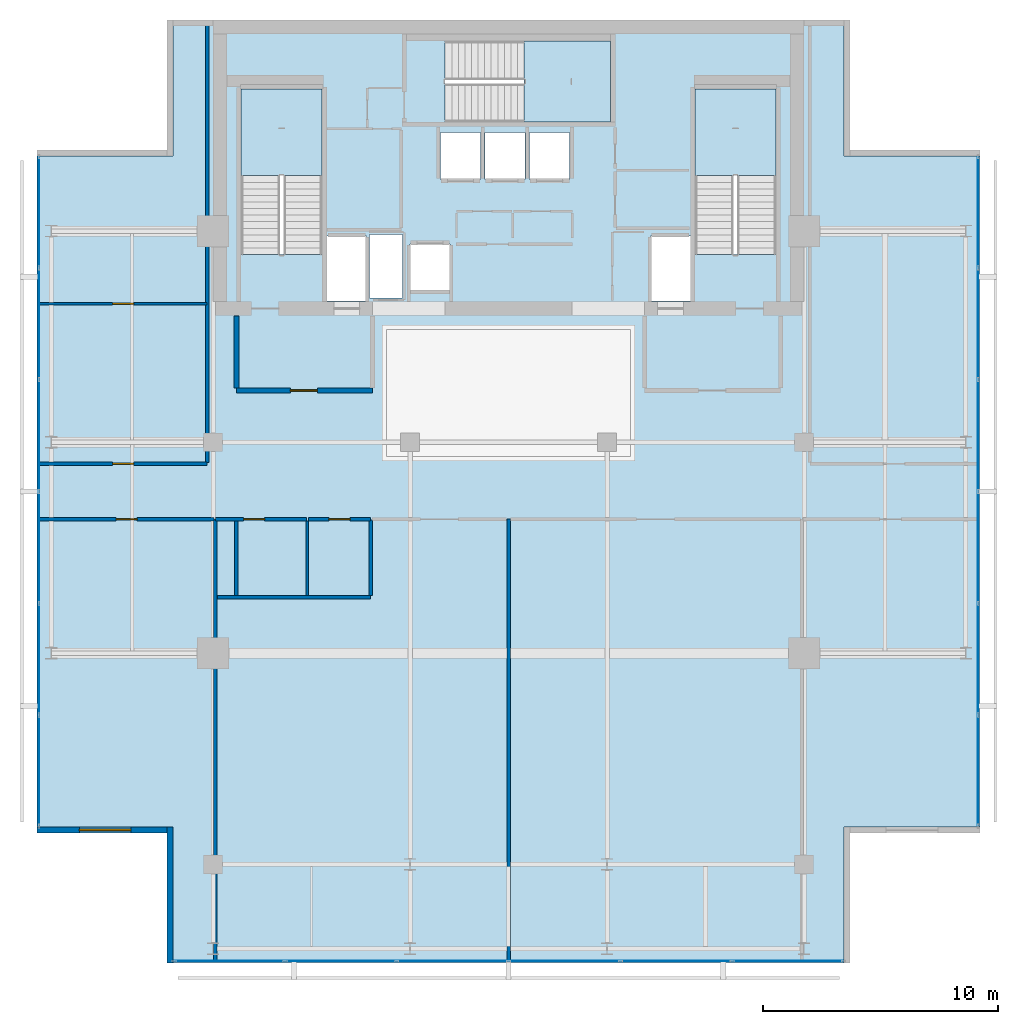
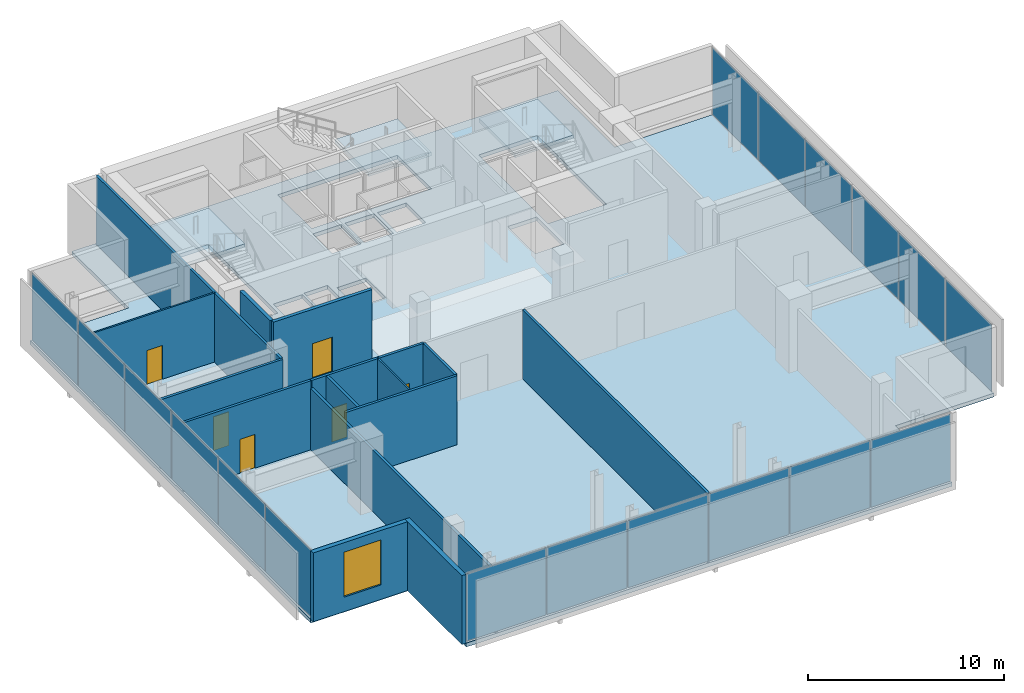
# One storey, part 16 of 23: 18 plates, 16 walls, 6 doors, 4 slabs, 1 window, 7 openings, 6 elements without a shape of their own.
"""IFC4 building model written with IfcOpenShell, lengths in metres."""

from ifc_helpers import new_model, si_unit, direction, frame, frame_2d, origin, origin_2d, place, context, subcontext, project, spatial, polyline, rectangle, outline, extrude, material, layer, layer_set, type_object, element, fill, aggregate, save


model = new_model("IFC4")

# Units and contexts
model_context = context("Model", 3, precision=1e-05, world=origin(), true_north=direction((0.0, 1.0)))
body_context = subcontext(model_context, "Body", "Model", "MODEL_VIEW")
ifc_project = project(units=[si_unit("LENGTHUNIT", "METRE"), si_unit("AREAUNIT", "SQUARE_METRE"), si_unit("VOLUMEUNIT", "CUBIC_METRE"), si_unit("PLANEANGLEUNIT", "RADIAN"), si_unit("MASSUNIT", "GRAM", prefix="KILO")], contexts=[model_context])

# Site, building, storey
site_placement = place(None, origin())
site = spatial("IfcSite", under=ifc_project, at=site_placement, CompositionType="ELEMENT")
building_placement = place(site_placement, origin())
building = spatial("IfcBuilding", under=site, at=building_placement, Name="Maruvema Waterfront Hotel and Observation Tower", CompositionType="ELEMENT")
storey_placement = place(building_placement, frame((0.0, 0.0, 349.64990234375)))
storey = spatial("IfcBuildingStorey", under=building, at=storey_placement, Name="L86", CompositionType="ELEMENT", Elevation=349.64990234375)

# Slab
ifc_material_1 = material(Name="Concrete C50/60", Category="concrete")
ifc_layer_1 = layer(ifc_material_1, 0.239990234375, Name="Reinforced Concrete Floor Slab 240 mm")
ifc_layer_set_1 = layer_set([ifc_layer_1], Name="Concrete C50/60")
slab_type_1 = type_object("IfcSlabType", Name="Reinforced Concrete Floor Slab 240 mm", PredefinedType="FLOOR", material=ifc_layer_set_1)
slab_1_placement = place(storey_placement, frame((0.0, 0.0, -0.239990234375)))
element("IfcSlab", 1, at=slab_1_placement, inside=storey, type_object=slab_type_1, Name="L86 Structural Floor Slab", PredefinedType="FLOOR", context=body_context, shape_type="SweptSolid", body=[
    extrude(outline(polyline([(23.5, 13.800048828125), (52.10009765625, 13.800048828125), (52.10009765625, 19.60009765625), (57.89990234375, 19.60009765625), (57.89990234375, 48.199951171875), (52.10009765625, 48.199951171875), (52.10009765625, 54.0), (23.5, 54.0), (23.5, 48.199951171875), (17.699951171875, 48.199951171875), (17.699951171875, 19.60009765625), (23.5, 19.60009765625), (23.5, 13.800048828125)]), holes=[polyline([(26.39990234375, 44.00048828125), (26.39990234375, 51.050048828125), (29.85009765625, 51.050048828125), (29.85009765625, 44.00048828125), (26.39990234375, 44.00048828125)]), polyline([(30.050048828125, 42.02001953125), (30.050048828125, 44.800048828125), (31.75, 44.800048828125), (31.75, 42.02001953125), (30.050048828125, 42.02001953125)]), polyline([(31.8798828125, 44.860107421875), (33.280029296875, 44.860107421875), (33.280029296875, 42.139892578125), (31.8798828125, 42.139892578125), (31.8798828125, 44.860107421875)]), polyline([(33.60009765625, 42.449951171875), (33.60009765625, 44.449951171875), (35.300048828125, 44.449951171875), (35.300048828125, 42.449951171875), (33.60009765625, 42.449951171875)]), polyline([(34.89990234375, 47.199951171875), (34.89990234375, 49.199951171875), (36.60009765625, 49.199951171875), (36.60009765625, 47.199951171875), (34.89990234375, 47.199951171875)]), polyline([(36.800048828125, 47.199951171875), (36.800048828125, 49.199951171875), (38.5, 49.199951171875), (38.5, 47.199951171875), (36.800048828125, 47.199951171875)]), polyline([(35.1005859375, 53.10009765625), (42.14990234375, 53.10009765625), (42.14990234375, 49.64990234375), (35.1005859375, 49.64990234375), (35.1005859375, 53.10009765625)]), polyline([(38.699951171875, 49.199951171875), (40.39990234375, 49.199951171875), (40.39990234375, 47.199951171875), (38.699951171875, 47.199951171875), (38.699951171875, 49.199951171875)]), polyline([(43.85009765625, 42.02001953125), (43.85009765625, 44.800048828125), (45.550048828125, 44.800048828125), (45.550048828125, 42.02001953125), (43.85009765625, 42.02001953125)]), polyline([(49.199951171875, 44.00048828125), (45.75, 44.00048828125), (45.75, 51.050048828125), (49.199951171875, 51.050048828125), (49.199951171875, 44.00048828125)])]), origin(), (0.0, 0.0, 1.0), 0.239990234375),
])

# Curtain wall, plates
ifc_material_2 = material(Name="Anodised bronze aluminium and solar-control low-E IGU", Category="aluminium")
ifc_layer_2 = layer(ifc_material_2, 0.159912109375, Name="Observation Crown Structural Glazed Curtain Wall System CW-06")
ifc_layer_set_2 = layer_set([ifc_layer_2], Name="Anodised bronze aluminium and solar-control low-E IGU")
curtain_wall_type = type_object("IfcCurtainWallType", Name="Observation Crown Structural Glazed Curtain Wall System CW-06", PredefinedType="USERDEFINED", material=ifc_layer_set_2)
curtain_wall_1_placement = place(storey_placement, origin())
curtain_wall_1 = element("IfcCurtainWall", 2, at=curtain_wall_1_placement, inside=storey, type_object=curtain_wall_type, Name="L86 Curtain Wall CW-L86-S", ObjectType="UNITISED CURTAIN WALL", PredefinedType="USERDEFINED")
ifc_material_3 = material(Name="Laminated low-E solar-control double glazing", Category="glass")
ifc_layer_3 = layer(ifc_material_3, 0.035888671875, Name="Solar Control Double-Glazed Curtain Panel 36 mm")
ifc_layer_set_3 = layer_set([ifc_layer_3], Name="Laminated low-E solar-control double glazing")
plate_type = type_object("IfcPlateType", Name="Solar Control Double-Glazed Curtain Panel 36 mm", PredefinedType="CURTAIN_PANEL", material=ifc_layer_set_3)
plate_1_placement = place(storey_placement, frame((25.8984375, 13.8798828125, 0.06005859375), z_axis=(0.0, 0.0, 1.0), x_axis=(1.0, 0.0, 0.0)))
plate_1 = element("IfcPlate", 3, at=plate_1_placement, type_object=plate_type, Name="CW-06 panel 1.1", PredefinedType="CURTAIN_PANEL", context=body_context, shape_type="SweptSolid", body=[
    extrude(rectangle(XDim=4.6767578125, YDim=0.028076171875, at=origin_2d()), origin(), (0.0, 0.0, 1.0), 4.169921875),
])
plate_2_placement = place(storey_placement, frame((30.64990234375, 13.8798828125, 0.06005859375), z_axis=(0.0, 0.0, 1.0), x_axis=(1.0, 0.0, 0.0)))
plate_2 = element("IfcPlate", 4, at=plate_2_placement, type_object=plate_type, Name="CW-06 panel 2.1", PredefinedType="CURTAIN_PANEL", context=body_context, shape_type="SweptSolid", body=[
    extrude(rectangle(XDim=4.706787109375, YDim=0.028076171875, at=origin_2d()), origin(), (0.0, 0.0, 1.0), 4.169921875),
])
plate_3_placement = place(storey_placement, frame((35.416748046875, 13.8798828125, 0.06005859375), z_axis=(0.0, 0.0, 1.0), x_axis=(1.0, 0.0, 0.0)))
plate_3 = element("IfcPlate", 5, at=plate_3_placement, type_object=plate_type, Name="CW-06 panel 3.1", PredefinedType="CURTAIN_PANEL", context=body_context, shape_type="SweptSolid", body=[
    extrude(rectangle(XDim=4.706787109375, YDim=0.028076171875, at=origin_2d()), origin(), (0.0, 0.0, 1.0), 4.169921875),
])
plate_4_placement = place(storey_placement, frame((40.183349609375, 13.8798828125, 0.06005859375), z_axis=(0.0, 0.0, 1.0), x_axis=(1.0, 0.0, 0.0)))
plate_4 = element("IfcPlate", 6, at=plate_4_placement, type_object=plate_type, Name="CW-06 panel 4.1", PredefinedType="CURTAIN_PANEL", context=body_context, shape_type="SweptSolid", body=[
    extrude(rectangle(XDim=4.706787109375, YDim=0.028076171875, at=origin_2d()), origin(), (0.0, 0.0, 1.0), 4.169921875),
])
plate_5_placement = place(storey_placement, frame((44.949951171875, 13.8798828125, 0.06005859375), z_axis=(0.0, 0.0, 1.0), x_axis=(1.0, 0.0, 0.0)))
plate_5 = element("IfcPlate", 7, at=plate_5_placement, type_object=plate_type, Name="CW-06 panel 5.1", PredefinedType="CURTAIN_PANEL", context=body_context, shape_type="SweptSolid", body=[
    extrude(rectangle(XDim=4.706787109375, YDim=0.028076171875, at=origin_2d()), origin(), (0.0, 0.0, 1.0), 4.169921875),
])
plate_6_placement = place(storey_placement, frame((49.70166015625, 13.8798828125, 0.06005859375), z_axis=(0.0, 0.0, 1.0), x_axis=(1.0, 0.0, 0.0)))
plate_6 = element("IfcPlate", 8, at=plate_6_placement, type_object=plate_type, Name="CW-06 panel 6.1", PredefinedType="CURTAIN_PANEL", context=body_context, shape_type="SweptSolid", body=[
    extrude(rectangle(XDim=4.6767578125, YDim=0.028076171875, at=origin_2d()), origin(), (0.0, 0.0, 1.0), 4.169921875),
])
aggregate(curtain_wall_1, [plate_1, plate_2, plate_3, plate_4, plate_5, plate_6])

curtain_wall_2_placement = place(storey_placement, origin())
curtain_wall_2 = element("IfcCurtainWall", 9, at=curtain_wall_2_placement, inside=storey, type_object=curtain_wall_type, Name="L86 Curtain Wall CW-L86-E", ObjectType="UNITISED CURTAIN WALL", PredefinedType="USERDEFINED")
plate_7_placement = place(storey_placement, frame((57.820068359375, 21.998291015625, 0.06005859375), z_axis=(0.0, 0.0, 1.0), x_axis=(0.0, 1.0, 0.0)))
plate_7 = element("IfcPlate", 10, at=plate_7_placement, type_object=plate_type, Name="CW-06 panel 1.1", PredefinedType="CURTAIN_PANEL", context=body_context, shape_type="SweptSolid", body=[
    extrude(rectangle(XDim=4.6767578125, YDim=0.028076171875, at=origin_2d()), origin(), (0.0, 0.0, 1.0), 4.169921875),
])
plate_8_placement = place(storey_placement, frame((57.820068359375, 26.75, 0.06005859375), z_axis=(0.0, 0.0, 1.0), x_axis=(0.0, 1.0, 0.0)))
plate_8 = element("IfcPlate", 11, at=plate_8_placement, type_object=plate_type, Name="CW-06 panel 2.1", PredefinedType="CURTAIN_PANEL", context=body_context, shape_type="SweptSolid", body=[
    extrude(rectangle(XDim=4.706787109375, YDim=0.028076171875, at=origin_2d()), origin(), (0.0, 0.0, 1.0), 4.169921875),
])
plate_9_placement = place(storey_placement, frame((57.820068359375, 31.5166015625, 0.06005859375), z_axis=(0.0, 0.0, 1.0), x_axis=(0.0, 1.0, 0.0)))
plate_9 = element("IfcPlate", 12, at=plate_9_placement, type_object=plate_type, Name="CW-06 panel 3.1", PredefinedType="CURTAIN_PANEL", context=body_context, shape_type="SweptSolid", body=[
    extrude(rectangle(XDim=4.706787109375, YDim=0.028076171875, at=origin_2d()), origin(), (0.0, 0.0, 1.0), 4.169921875),
])
plate_10_placement = place(storey_placement, frame((57.820068359375, 36.283447265625, 0.06005859375), z_axis=(0.0, 0.0, 1.0), x_axis=(0.0, 1.0, 0.0)))
plate_10 = element("IfcPlate", 13, at=plate_10_placement, type_object=plate_type, Name="CW-06 panel 4.1", PredefinedType="CURTAIN_PANEL", context=body_context, shape_type="SweptSolid", body=[
    extrude(rectangle(XDim=4.706787109375, YDim=0.028076171875, at=origin_2d()), origin(), (0.0, 0.0, 1.0), 4.169921875),
])
plate_11_placement = place(storey_placement, frame((57.820068359375, 41.050048828125, 0.06005859375), z_axis=(0.0, 0.0, 1.0), x_axis=(0.0, 1.0, 0.0)))
plate_11 = element("IfcPlate", 14, at=plate_11_placement, type_object=plate_type, Name="CW-06 panel 5.1", PredefinedType="CURTAIN_PANEL", context=body_context, shape_type="SweptSolid", body=[
    extrude(rectangle(XDim=4.706787109375, YDim=0.028076171875, at=origin_2d()), origin(), (0.0, 0.0, 1.0), 4.169921875),
])
plate_12_placement = place(storey_placement, frame((57.820068359375, 45.8017578125, 0.06005859375), z_axis=(0.0, 0.0, 1.0), x_axis=(0.0, 1.0, 0.0)))
plate_12 = element("IfcPlate", 15, at=plate_12_placement, type_object=plate_type, Name="CW-06 panel 6.1", PredefinedType="CURTAIN_PANEL", context=body_context, shape_type="SweptSolid", body=[
    extrude(rectangle(XDim=4.6767578125, YDim=0.028076171875, at=origin_2d()), origin(), (0.0, 0.0, 1.0), 4.169921875),
])
aggregate(curtain_wall_2, [plate_7, plate_8, plate_9, plate_10, plate_11, plate_12])

curtain_wall_3_placement = place(storey_placement, origin())
curtain_wall_3 = element("IfcCurtainWall", 16, at=curtain_wall_3_placement, inside=storey, type_object=curtain_wall_type, Name="L86 Curtain Wall CW-L86-W", ObjectType="UNITISED CURTAIN WALL", PredefinedType="USERDEFINED")
plate_13_placement = place(storey_placement, frame((17.780029296875, 45.8017578125, 0.06005859375), z_axis=(0.0, 0.0, 1.0), x_axis=(0.0, -1.0, 0.0)))
plate_13 = element("IfcPlate", 17, at=plate_13_placement, type_object=plate_type, Name="CW-06 panel 1.1", PredefinedType="CURTAIN_PANEL", context=body_context, shape_type="SweptSolid", body=[
    extrude(rectangle(XDim=4.6767578125, YDim=0.028076171875, at=origin_2d()), origin(), (0.0, 0.0, 1.0), 4.169921875),
])
plate_14_placement = place(storey_placement, frame((17.780029296875, 41.050048828125, 0.06005859375), z_axis=(0.0, 0.0, 1.0), x_axis=(0.0, -1.0, 0.0)))
plate_14 = element("IfcPlate", 18, at=plate_14_placement, type_object=plate_type, Name="CW-06 panel 2.1", PredefinedType="CURTAIN_PANEL", context=body_context, shape_type="SweptSolid", body=[
    extrude(rectangle(XDim=4.706787109375, YDim=0.028076171875, at=origin_2d()), origin(), (0.0, 0.0, 1.0), 4.169921875),
])
plate_15_placement = place(storey_placement, frame((17.780029296875, 36.283447265625, 0.06005859375), z_axis=(0.0, 0.0, 1.0), x_axis=(0.0, -1.0, 0.0)))
plate_15 = element("IfcPlate", 19, at=plate_15_placement, type_object=plate_type, Name="CW-06 panel 3.1", PredefinedType="CURTAIN_PANEL", context=body_context, shape_type="SweptSolid", body=[
    extrude(rectangle(XDim=4.706787109375, YDim=0.028076171875, at=origin_2d()), origin(), (0.0, 0.0, 1.0), 4.169921875),
])
plate_16_placement = place(storey_placement, frame((17.780029296875, 31.5166015625, 0.06005859375), z_axis=(0.0, 0.0, 1.0), x_axis=(0.0, -1.0, 0.0)))
plate_16 = element("IfcPlate", 20, at=plate_16_placement, type_object=plate_type, Name="CW-06 panel 4.1", PredefinedType="CURTAIN_PANEL", context=body_context, shape_type="SweptSolid", body=[
    extrude(rectangle(XDim=4.706787109375, YDim=0.028076171875, at=origin_2d()), origin(), (0.0, 0.0, 1.0), 4.169921875),
])
plate_17_placement = place(storey_placement, frame((17.780029296875, 26.75, 0.06005859375), z_axis=(0.0, 0.0, 1.0), x_axis=(0.0, -1.0, 0.0)))
plate_17 = element("IfcPlate", 21, at=plate_17_placement, type_object=plate_type, Name="CW-06 panel 5.1", PredefinedType="CURTAIN_PANEL", context=body_context, shape_type="SweptSolid", body=[
    extrude(rectangle(XDim=4.706787109375, YDim=0.028076171875, at=origin_2d()), origin(), (0.0, 0.0, 1.0), 4.169921875),
])
plate_18_placement = place(storey_placement, frame((17.780029296875, 21.998291015625, 0.06005859375), z_axis=(0.0, 0.0, 1.0), x_axis=(0.0, -1.0, 0.0)))
plate_18 = element("IfcPlate", 22, at=plate_18_placement, type_object=plate_type, Name="CW-06 panel 6.1", PredefinedType="CURTAIN_PANEL", context=body_context, shape_type="SweptSolid", body=[
    extrude(rectangle(XDim=4.6767578125, YDim=0.028076171875, at=origin_2d()), origin(), (0.0, 0.0, 1.0), 4.169921875),
])
aggregate(curtain_wall_3, [plate_13, plate_14, plate_15, plate_16, plate_17, plate_18])

# Stair, slab
ifc_material_4 = material(Name="Concrete C50/60", Category="concrete")
stair_type = type_object("IfcStairType", Name="Dogleg Exit Stair 1650 mm (26R x 175.0 mm)", PredefinedType="HALF_TURN_STAIR", material=ifc_material_4)
stair_1_placement = place(storey_placement, origin())
stair_1 = element("IfcStair", 23, at=stair_1_placement, inside=storey, type_object=stair_type, Name="L86 ST-01", PredefinedType="HALF_TURN_STAIR")
ifc_material_5 = material(Name="Concrete C50/60", Category="concrete")
ifc_layer_4 = layer(ifc_material_5, 0.219970703125, Name="Stair Concrete Landing Slab 220 mm")
ifc_layer_set_4 = layer_set([ifc_layer_4], Name="Concrete C50/60")
slab_type_2 = type_object("IfcSlabType", Name="Stair Concrete Landing Slab 220 mm", PredefinedType="LANDING", material=ifc_layer_set_4)
slab_2_placement = place(storey_placement, frame((0.0, 0.0, 2.05517578125)))
slab_2 = element("IfcSlab", 24, at=slab_2_placement, type_object=slab_type_2, Name="ST-01 landing 1", PredefinedType="LANDING", context=body_context, shape_type="SweptSolid", body=[
    extrude(outline(polyline([(29.85009765625, 47.360107421875), (29.85009765625, 51.050048828125), (26.39990234375, 51.050048828125), (26.39990234375, 47.360107421875), (29.85009765625, 47.360107421875)])), origin(), (0.0, 0.0, 1.0), 0.219970703125),
])
aggregate(stair_1, [slab_2])

stair_2_placement = place(storey_placement, origin())
stair_2 = element("IfcStair", 25, at=stair_2_placement, inside=storey, type_object=stair_type, Name="L86 ST-02", PredefinedType="HALF_TURN_STAIR")
slab_3_placement = place(storey_placement, frame((0.0, 0.0, 2.05517578125)))
slab_3 = element("IfcSlab", 26, at=slab_3_placement, type_object=slab_type_2, Name="ST-02 landing 1", PredefinedType="LANDING", context=body_context, shape_type="SweptSolid", body=[
    extrude(outline(polyline([(38.4599609375, 49.64990234375), (42.14990234375, 49.64990234375), (42.14990234375, 53.10009765625), (38.4599609375, 53.10009765625), (38.4599609375, 49.64990234375)])), origin(), (0.0, 0.0, 1.0), 0.219970703125),
])
aggregate(stair_2, [slab_3])

stair_3_placement = place(storey_placement, origin())
stair_3 = element("IfcStair", 27, at=stair_3_placement, inside=storey, type_object=stair_type, Name="L86 ST-03", PredefinedType="HALF_TURN_STAIR")
slab_4_placement = place(storey_placement, frame((0.0, 0.0, 2.05517578125)))
slab_4 = element("IfcSlab", 28, at=slab_4_placement, type_object=slab_type_2, Name="ST-03 landing 1", PredefinedType="LANDING", context=body_context, shape_type="SweptSolid", body=[
    extrude(outline(polyline([(49.199951171875, 47.360107421875), (49.199951171875, 51.050048828125), (45.75, 51.050048828125), (45.75, 47.360107421875), (49.199951171875, 47.360107421875)])), origin(), (0.0, 0.0, 1.0), 0.219970703125),
])
aggregate(stair_3, [slab_4])

# Wall, opening, door
ifc_material_6 = material(Name="Twin-stud acoustic gypsum drywall", Category="gypsum")
ifc_layer_5 = layer(ifc_material_6, 0.14990234375, Name="Acoustic Corridor and Suite Demising Wall 150 mm")
ifc_layer_set_5 = layer_set([ifc_layer_5], Name="Twin-stud acoustic gypsum drywall")
wall_type_1 = type_object("IfcWallType", Name="Acoustic Corridor and Suite Demising Wall 150 mm", PredefinedType="PARTITIONING", material=ifc_layer_set_5)
wall_1_placement = place(storey_placement, frame((25.300048828125, 32.719970703125, 0.0), z_axis=(0.0, 0.0, 1.0), x_axis=(1.0, 0.0, 0.0)))
wall_1 = element("IfcWall", 29, at=wall_1_placement, inside=storey, type_object=wall_type_1, Name="L86 L86 Public WC North 027", PredefinedType="PARTITIONING", context=body_context, shape_type="SweptSolid", body=[
    extrude(rectangle(XDim=3.8798828125, YDim=0.14990234375, at=frame_2d((1.93994140625, 0.0))), origin(), (0.0, 0.0, 1.0), 4.2900390625),
])
opening_1_placement = place(wall_1_placement, frame((1.199951171875, 0.0, 0.0)))
opening_1 = element("IfcOpeningElement", 30, at=opening_1_placement, cuts=wall_1, Name="Opening DR-090", PredefinedType="OPENING", context=body_context, shape_type="SweptSolid", body=[
    extrude(rectangle(XDim=0.89990234375, YDim=2.10009765625, at=frame_2d((0.449951171875, 1.050048828125))), frame((0.0, 0.0849609375, 0.0), z_axis=(0.0, -1.0, 0.0), x_axis=(1.0, 0.0, 0.0)), (0.0, 0.0, 1.0), 0.169921875),
])
ifc_material_7 = material(Name="Solid-core lacquered timber leaf", Category="wood")
door_type_1 = type_object("IfcDoorType", Name="Accessible Toilet and Room Door 900x2100 mm", OperationType="NOTDEFINED", PredefinedType="DOOR", material=ifc_material_7)
door_1_placement = place(opening_1_placement, origin())
door_1 = element("IfcDoor", 31, at=door_1_placement, inside=storey, type_object=door_type_1, Name="L86 Public Toilet Door", OperationType="SINGLE_SWING_LEFT", OverallHeight=2.10009765625, OverallWidth=0.89990234375, PredefinedType="DOOR", context=body_context, shape_type="SweptSolid", body=[
    extrude(rectangle(XDim=0.89990234375, YDim=2.10009765625, at=frame_2d((0.449951171875, 1.050048828125))), frame((0.0, 0.02490234375, 0.0), z_axis=(0.0, -1.0, 0.0), x_axis=(1.0, 0.0, 0.0)), (0.0, 0.0, 1.0), 0.050048828125),
])
fill(opening_1, door_1)

wall_2_placement = place(storey_placement, frame((29.260009765625, 32.719970703125, 0.0), z_axis=(0.0, 0.0, 1.0), x_axis=(1.0, 0.0, 0.0)))
wall_2 = element("IfcWall", 32, at=wall_2_placement, inside=storey, type_object=wall_type_1, Name="L86 L86 Acc WC North 028", PredefinedType="PARTITIONING", context=body_context, shape_type="SweptSolid", body=[
    extrude(rectangle(XDim=2.659912109375, YDim=0.14990234375, at=frame_2d((1.330078125, 0.0))), origin(), (0.0, 0.0, 1.0), 4.2900390625),
])
opening_2_placement = place(wall_2_placement, frame((0.8798828125, 0.0, 0.0)))
opening_2 = element("IfcOpeningElement", 33, at=opening_2_placement, cuts=wall_2, Name="Opening DR-090", PredefinedType="OPENING", context=body_context, shape_type="SweptSolid", body=[
    extrude(rectangle(XDim=0.89990234375, YDim=2.10009765625, at=frame_2d((0.449951171875, 1.050048828125))), frame((0.0, 0.0849609375, 0.0), z_axis=(0.0, -1.0, 0.0), x_axis=(1.0, 0.0, 0.0)), (0.0, 0.0, 1.0), 0.169921875),
])
door_2_placement = place(opening_2_placement, origin())
door_2 = element("IfcDoor", 34, at=door_2_placement, inside=storey, type_object=door_type_1, Name="L86 Accessible WC Door", OperationType="SINGLE_SWING_RIGHT", OverallHeight=2.10009765625, OverallWidth=0.89990234375, PredefinedType="DOOR", context=body_context, shape_type="SweptSolid", body=[
    extrude(rectangle(XDim=0.89990234375, YDim=2.10009765625, at=frame_2d((0.449951171875, 1.050048828125))), frame((0.0, 0.02490234375, 0.0), z_axis=(0.0, -1.0, 0.0), x_axis=(1.0, 0.0, 0.0)), (0.0, 0.0, 1.0), 0.050048828125),
])
fill(opening_2, door_2)

# Walls
wall_3_placement = place(storey_placement, frame((25.3798828125, 29.3798828125, 0.0), z_axis=(0.0, 0.0, 1.0), x_axis=(1.0, 0.0, 0.0)))
element("IfcWall", 35, at=wall_3_placement, inside=storey, type_object=wall_type_1, Name="L86 L86 WC South 029", PredefinedType="PARTITIONING", context=body_context, shape_type="SweptSolid", body=[
    extrude(rectangle(XDim=6.5400390625, YDim=0.14990234375, at=frame_2d((3.27001953125, 0.0))), origin(), (0.0, 0.0, 1.0), 4.2900390625),
])
wall_4_placement = place(storey_placement, frame((26.199951171875, 29.4599609375, 0.0), z_axis=(0.0, 0.0, 1.0), x_axis=(0.0, 1.0, 0.0)))
element("IfcWall", 36, at=wall_4_placement, inside=storey, type_object=wall_type_1, Name="L86 L86 WC West 030", PredefinedType="PARTITIONING", context=body_context, shape_type="SweptSolid", body=[
    extrude(rectangle(XDim=3.179931640625, YDim=0.14990234375, at=frame_2d((1.58984375, 0.0))), origin(), (0.0, 0.0, 1.0), 4.2900390625),
])
wall_5_placement = place(storey_placement, frame((31.919921875, 29.4599609375, 0.0), z_axis=(0.0, 0.0, 1.0), x_axis=(0.0, 1.0, 0.0)))
element("IfcWall", 37, at=wall_5_placement, inside=storey, type_object=wall_type_1, Name="L86 L86 WC East 032", PredefinedType="PARTITIONING", context=body_context, shape_type="SweptSolid", body=[
    extrude(rectangle(XDim=3.219970703125, YDim=0.14990234375, at=frame_2d((1.60986328125, 0.0))), origin(), (0.0, 0.0, 1.0), 4.2900390625),
])
wall_6_placement = place(storey_placement, frame((37.800048828125, 13.8798828125, 0.0), z_axis=(0.0, 0.0, 1.0), x_axis=(0.0, 1.0, 0.0)))
element("IfcWall", 38, at=wall_6_placement, inside=storey, type_object=wall_type_1, Name="L86 L86 Bar Split 033", PredefinedType="PARTITIONING", context=body_context, shape_type="SweptSolid", body=[
    extrude(rectangle(XDim=18.840087890625, YDim=0.14990234375, at=frame_2d((9.419921875, 0.0))), origin(), (0.0, 0.0, 1.0), 4.2900390625),
])
wall_7_placement = place(storey_placement, frame((25.300048828125, 13.8798828125, 0.0), z_axis=(0.0, 0.0, 1.0), x_axis=(0.0, 1.0, 0.0)))
element("IfcWall", 39, at=wall_7_placement, inside=storey, type_object=wall_type_1, Name="L86 L86 West Spine 034", PredefinedType="PARTITIONING", context=body_context, shape_type="SweptSolid", body=[
    extrude(rectangle(XDim=18.840087890625, YDim=0.14990234375, at=frame_2d((9.419921875, 0.0))), origin(), (0.0, 0.0, 1.0), 3.821044921875),
])

# Wall, opening, door
wall_8_placement = place(storey_placement, frame((17.780029296875, 32.719970703125, 0.0), z_axis=(0.0, 0.0, 1.0), x_axis=(1.0, 0.0, 0.0)))
wall_8 = element("IfcWall", 40, at=wall_8_placement, inside=storey, type_object=wall_type_1, Name="L86 L86 VIP Office North 036", PredefinedType="PARTITIONING", context=body_context, shape_type="SweptSolid", body=[
    extrude(rectangle(XDim=7.469970703125, YDim=0.14990234375, at=frame_2d((3.73486328125, 0.0))), origin(), (0.0, 0.0, 1.0), 4.2900390625),
])
opening_3_placement = place(wall_8_placement, frame((3.284912109375, 0.0, 0.0)))
opening_3 = element("IfcOpeningElement", 41, at=opening_3_placement, cuts=wall_8, Name="Opening DR-090", PredefinedType="OPENING", context=body_context, shape_type="SweptSolid", body=[
    extrude(rectangle(XDim=0.89990234375, YDim=2.10009765625, at=frame_2d((0.449951171875, 1.050048828125))), frame((0.0, 0.0849609375, 0.0), z_axis=(0.0, -1.0, 0.0), x_axis=(1.0, 0.0, 0.0)), (0.0, 0.0, 1.0), 0.169921875),
])
door_3_placement = place(opening_3_placement, origin())
door_3 = element("IfcDoor", 42, at=door_3_placement, inside=storey, type_object=door_type_1, Name="L86 VIP Office Door", OperationType="SINGLE_SWING_LEFT", OverallHeight=2.10009765625, OverallWidth=0.89990234375, PredefinedType="DOOR", context=body_context, shape_type="SweptSolid", body=[
    extrude(rectangle(XDim=0.89990234375, YDim=2.10009765625, at=frame_2d((0.449951171875, 1.050048828125))), frame((0.0, 0.02490234375, 0.0), z_axis=(0.0, -1.0, 0.0), x_axis=(1.0, 0.0, 0.0)), (0.0, 0.0, 1.0), 0.050048828125),
])
fill(opening_3, door_3)

wall_9_placement = place(storey_placement, frame((17.780029296875, 35.080078125, 0.0), z_axis=(0.0, 0.0, 1.0), x_axis=(1.0, 0.0, 0.0)))
wall_9 = element("IfcWall", 43, at=wall_9_placement, inside=storey, type_object=wall_type_1, Name="L86 L86 Listening South 040", PredefinedType="PARTITIONING", context=body_context, shape_type="SweptSolid", body=[
    extrude(rectangle(XDim=7.169921875, YDim=0.14990234375, at=frame_2d((3.5849609375, 0.0))), origin(), (0.0, 0.0, 1.0), 4.2900390625),
])
opening_4_placement = place(wall_9_placement, frame((3.135009765625, 0.0, 0.0)))
opening_4 = element("IfcOpeningElement", 44, at=opening_4_placement, cuts=wall_9, Name="Opening DR-090", PredefinedType="OPENING", context=body_context, shape_type="SweptSolid", body=[
    extrude(rectangle(XDim=0.89990234375, YDim=2.10009765625, at=frame_2d((0.449951171875, 1.050048828125))), frame((0.0, 0.0849609375, 0.0), z_axis=(0.0, -1.0, 0.0), x_axis=(1.0, 0.0, 0.0)), (0.0, 0.0, 1.0), 0.169921875),
])
door_4_placement = place(opening_4_placement, frame((0.89990234375, 0.0, 0.0), z_axis=(0.0, 0.0, 1.0), x_axis=(-1.0, 0.0, 0.0)))
door_4 = element("IfcDoor", 45, at=door_4_placement, inside=storey, type_object=door_type_1, Name="L86 Listening Salon Door", OperationType="SINGLE_SWING_LEFT", OverallHeight=2.10009765625, OverallWidth=0.89990234375, PredefinedType="DOOR", context=body_context, shape_type="SweptSolid", body=[
    extrude(rectangle(XDim=0.89990234375, YDim=2.10009765625, at=frame_2d((0.449951171875, 1.050048828125))), frame((0.0, 0.02490234375, 0.0), z_axis=(0.0, -1.0, 0.0), x_axis=(1.0, 0.0, 0.0)), (0.0, 0.0, 1.0), 0.050048828125),
])
fill(opening_4, door_4)

# Walls
wall_10_placement = place(storey_placement, frame((24.949951171875, 35.139892578125, 0.0), z_axis=(0.0, 0.0, 1.0), x_axis=(0.0, 1.0, 0.0)))
element("IfcWall", 46, at=wall_10_placement, inside=storey, type_object=wall_type_1, Name="L86 L86 Listening East 042", PredefinedType="PARTITIONING", context=body_context, shape_type="SweptSolid", body=[
    extrude(rectangle(XDim=18.780029296875, YDim=0.14990234375, at=frame_2d((9.39013671875, 0.0))), origin(), (0.0, 0.0, 1.0), 4.2900390625),
])
ifc_material_8 = material(Name="Moisture-resistant cement-board drywall", Category="gypsum")
ifc_layer_6 = layer(ifc_material_8, 0.10009765625, Name="En-Suite Moisture-Resistant Partition 100 mm")
ifc_layer_set_6 = layer_set([ifc_layer_6], Name="Moisture-resistant cement-board drywall")
wall_type_2 = type_object("IfcWallType", Name="En-Suite Moisture-Resistant Partition 100 mm", PredefinedType="PARTITIONING", material=ifc_layer_set_6)
wall_11_placement = place(storey_placement, frame((29.219970703125, 29.4599609375, 0.0), z_axis=(0.0, 0.0, 1.0), x_axis=(0.0, 1.0, 0.0)))
element("IfcWall", 47, at=wall_11_placement, inside=storey, type_object=wall_type_2, Name="L86 L86 WC Split 031", PredefinedType="PARTITIONING", context=body_context, shape_type="SweptSolid", body=[
    extrude(rectangle(XDim=3.179931640625, YDim=0.10009765625, at=frame_2d((1.58984375, 0.0))), origin(), (0.0, 0.0, 1.0), 4.2900390625),
])

# Wall, opening, door
wall_12_placement = place(storey_placement, frame((17.780029296875, 41.89990234375, 0.0), z_axis=(0.0, 0.0, 1.0), x_axis=(1.0, 0.0, 0.0)))
wall_12 = element("IfcWall", 48, at=wall_12_placement, inside=storey, type_object=wall_type_2, Name="L86 L86 NW Wing Split 041", PredefinedType="PARTITIONING", context=body_context, shape_type="SweptSolid", body=[
    extrude(rectangle(XDim=7.169921875, YDim=0.10009765625, at=frame_2d((3.5849609375, 0.0))), origin(), (0.0, 0.0, 1.0), 4.2900390625),
])
opening_5_placement = place(wall_12_placement, frame((3.135009765625, 0.0, 0.0)))
opening_5 = element("IfcOpeningElement", 49, at=opening_5_placement, cuts=wall_12, Name="Opening DR-090", PredefinedType="OPENING", context=body_context, shape_type="SweptSolid", body=[
    extrude(rectangle(XDim=0.89990234375, YDim=2.10009765625, at=frame_2d((0.449951171875, 1.050048828125))), frame((0.0, 0.06005859375, 0.0), z_axis=(0.0, -1.0, 0.0), x_axis=(1.0, 0.0, 0.0)), (0.0, 0.0, 1.0), 0.1201171875),
])
door_5_placement = place(opening_5_placement, frame((0.89990234375, 0.0, 0.0), z_axis=(0.0, 0.0, 1.0), x_axis=(-1.0, 0.0, 0.0)))
door_5 = element("IfcDoor", 50, at=door_5_placement, inside=storey, type_object=door_type_1, Name="L86 Club Meeting Door", OperationType="SINGLE_SWING_RIGHT", OverallHeight=2.10009765625, OverallWidth=0.89990234375, PredefinedType="DOOR", context=body_context, shape_type="SweptSolid", body=[
    extrude(rectangle(XDim=0.89990234375, YDim=2.10009765625, at=frame_2d((0.449951171875, 1.050048828125))), frame((0.0, 0.02490234375, 0.0), z_axis=(0.0, -1.0, 0.0), x_axis=(1.0, 0.0, 0.0)), (0.0, 0.0, 1.0), 0.050048828125),
])
fill(opening_5, door_5)

# Wall
ifc_material_9 = material(Name="Precast concrete C45/55 with honed Pernambuco granite facing", Category="masonry")
ifc_layer_7 = layer(ifc_material_9, 0.260009765625, Name="Exterior Granite Clad Spandrel and Pier Wall 260 mm")
ifc_layer_set_7 = layer_set([ifc_layer_7], Name="Precast concrete C45/55 with honed Pernambuco granite facing")
wall_type_3 = type_object("IfcWallType", Name="Exterior Granite Clad Spandrel and Pier Wall 260 mm", PredefinedType="SOLIDWALL", material=ifc_layer_set_7)
wall_13_placement = place(storey_placement, frame((23.3701171875, 13.800048828125, 0.0), z_axis=(0.0, 0.0, 1.0), x_axis=(0.0, 1.0, 0.0)))
element("IfcWall", 51, at=wall_13_placement, inside=storey, type_object=wall_type_3, Name="L86 Corner Notch Granite Pier Wall SW1", PredefinedType="SOLIDWALL", context=body_context, shape_type="SweptSolid", body=[
    extrude(rectangle(XDim=5.800048828125, YDim=0.260009765625, at=frame_2d((2.89990234375, 0.0))), origin(), (0.0, 0.0, 1.0), 4.2900390625),
])

# Wall, opening, window
wall_14_placement = place(storey_placement, frame((23.5, 19.469970703125, 0.0), z_axis=(0.0, 0.0, 1.0), x_axis=(-1.0, 0.0, 0.0)))
wall_14 = element("IfcWall", 52, at=wall_14_placement, inside=storey, type_object=wall_type_3, Name="L86 Corner Notch Granite Pier Wall SW2", PredefinedType="SOLIDWALL", context=body_context, shape_type="SweptSolid", body=[
    extrude(rectangle(XDim=5.800048828125, YDim=0.260009765625, at=frame_2d((2.89990234375, 0.0))), origin(), (0.0, 0.0, 1.0), 4.2900390625),
])
opening_6_placement = place(wall_14_placement, frame((1.800048828125, 0.0, 0.89990234375)))
opening_6 = element("IfcOpeningElement", 53, at=opening_6_placement, cuts=wall_14, Name="Opening WN-05", PredefinedType="OPENING", context=body_context, shape_type="SweptSolid", body=[
    extrude(rectangle(XDim=2.199951171875, YDim=2.800048828125, at=frame_2d((1.10009765625, 1.39990234375))), frame((0.0, 0.14013671875, 0.0), z_axis=(0.0, -1.0, 0.0), x_axis=(1.0, 0.0, 0.0)), (0.0, 0.0, 1.0), 0.280029296875),
])
ifc_material_10 = material(Name="Anodised bronze aluminium frame with laminated low-E glass", Category="aluminium")
window_type = type_object("IfcWindowType", Name="Crown Gallery Observation Window 2200x2800 mm", PartitioningType="SINGLE_PANEL", PredefinedType="WINDOW", material=ifc_material_10)
window_placement = place(opening_6_placement, origin())
window = element("IfcWindow", 54, at=window_placement, inside=storey, type_object=window_type, Name="L86 Corner Notch Punched Window SW2", OverallHeight=2.800048828125, OverallWidth=2.199951171875, PartitioningType="SINGLE_PANEL", PredefinedType="WINDOW", context=body_context, shape_type="SweptSolid", body=[
    extrude(rectangle(XDim=2.199951171875, YDim=2.800048828125, at=frame_2d((1.10009765625, 1.39990234375))), frame((0.0, 0.030029296875, 0.0), z_axis=(0.0, -1.0, 0.0), x_axis=(1.0, 0.0, 0.0)), (0.0, 0.0, 1.0), 0.06005859375),
])
fill(opening_6, window)

# Wall, opening, door
ifc_material_11 = material(Name="Autoclaved cellular concrete blockwork", Category="masonry")
ifc_layer_8 = layer(ifc_material_11, 0.199951171875, Name="Fire Compartment Masonry Wall 200 mm")
ifc_layer_set_8 = layer_set([ifc_layer_8], Name="Autoclaved cellular concrete blockwork")
wall_type_4 = type_object("IfcWallType", Name="Fire Compartment Masonry Wall 200 mm", PredefinedType="PARTITIONING", material=ifc_layer_set_8)
wall_15_placement = place(storey_placement, frame((26.199951171875, 38.199951171875, 0.0), z_axis=(0.0, 0.0, 1.0), x_axis=(1.0, 0.0, 0.0)))
wall_15 = element("IfcWall", 55, at=wall_15_placement, inside=storey, type_object=wall_type_4, Name="L86 FFL West South Wall 001", PredefinedType="PARTITIONING", context=body_context, shape_type="SweptSolid", body=[
    extrude(rectangle(XDim=5.800048828125, YDim=0.199951171875, at=frame_2d((2.89990234375, 0.0))), origin(), (0.0, 0.0, 1.0), 4.2900390625),
])
opening_7_placement = place(wall_15_placement, frame((2.300048828125, 0.0, 0.0)))
opening_7 = element("IfcOpeningElement", 56, at=opening_7_placement, cuts=wall_15, Name="Opening FD-115", PredefinedType="OPENING", context=body_context, shape_type="SweptSolid", body=[
    extrude(rectangle(XDim=1.14990234375, YDim=2.14990234375, at=frame_2d((0.574951171875, 1.074951171875))), frame((0.0, 0.10986328125, 0.0), z_axis=(0.0, -1.0, 0.0), x_axis=(1.0, 0.0, 0.0)), (0.0, 0.0, 1.0), 0.219970703125),
])
ifc_material_12 = material(Name="Fire-rated galvanised steel and vision glass", Category="steel")
door_type_2 = type_object("IfcDoorType", Name="Firefighting Lobby Fire Door 1150x2150 mm", OperationType="NOTDEFINED", PredefinedType="DOOR", material=ifc_material_12)
door_6_placement = place(opening_7_placement, frame((1.14990234375, 0.0, 0.0), z_axis=(0.0, 0.0, 1.0), x_axis=(-1.0, 0.0, 0.0)))
door_6 = element("IfcDoor", 57, at=door_6_placement, inside=storey, type_object=door_type_2, Name="L86 Firefighting Lobby West Door", OperationType="SINGLE_SWING_RIGHT", OverallHeight=2.14990234375, OverallWidth=1.14990234375, PredefinedType="DOOR", context=body_context, shape_type="SweptSolid", body=[
    extrude(rectangle(XDim=1.14990234375, YDim=2.14990234375, at=frame_2d((0.574951171875, 1.074951171875))), frame((0.0, 0.02490234375, 0.0), z_axis=(0.0, -1.0, 0.0), x_axis=(1.0, 0.0, 0.0)), (0.0, 0.0, 1.0), 0.050048828125),
])
fill(opening_7, door_6)

# Wall
wall_16_placement = place(storey_placement, frame((26.199951171875, 38.31005859375, 0.0), z_axis=(0.0, 0.0, 1.0), x_axis=(0.0, 1.0, 0.0)))
element("IfcWall", 58, at=wall_16_placement, inside=storey, type_object=wall_type_4, Name="L86 FFL West West Wall 002", PredefinedType="PARTITIONING", context=body_context, shape_type="SweptSolid", body=[
    extrude(rectangle(XDim=3.06982421875, YDim=0.199951171875, at=frame_2d((1.534912109375, 0.0))), origin(), (0.0, 0.0, 1.0), 4.2900390625),
])

save(model, "model.ifc")
